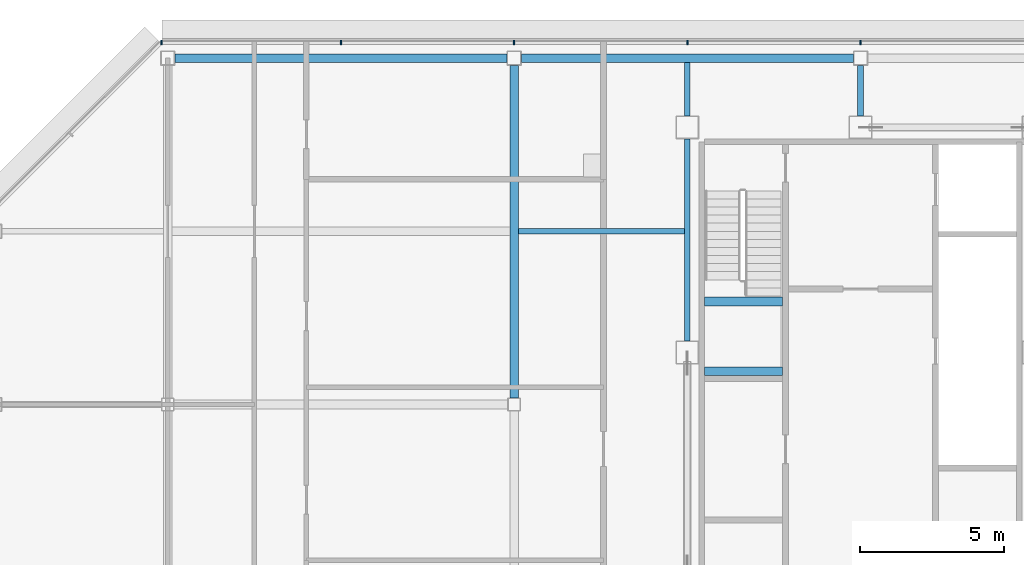
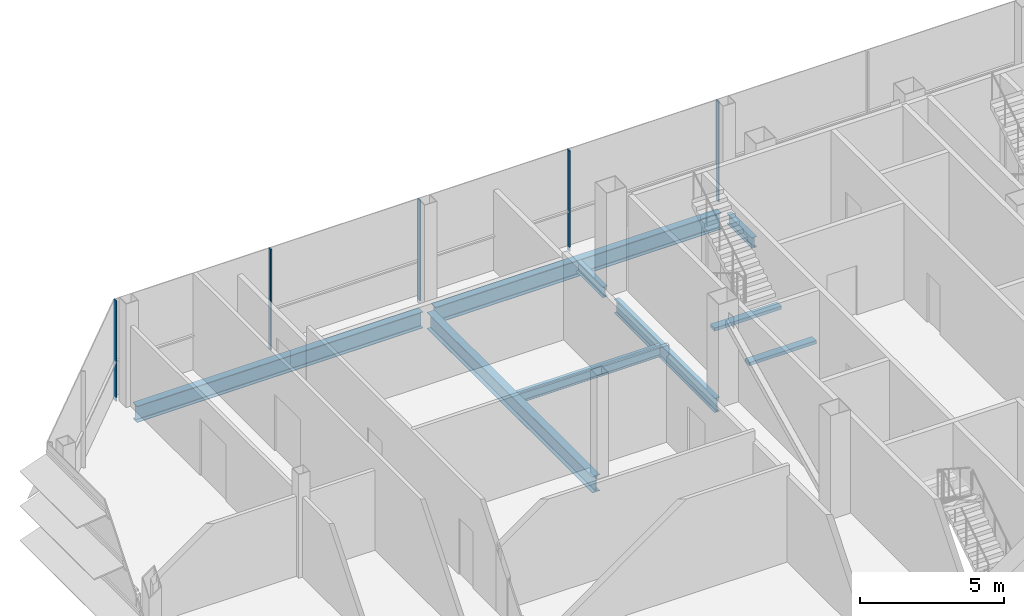
# One storey, part 14 of 29: 9 beams, 5 members, 1 element without a shape of its own.
"""IFC4 building model written with IfcOpenShell, lengths in metres."""

import ifcopenshell
import ifcopenshell.guid

model = None  # the IFC model being written
_history = None  # IfcOwnerHistory: only IFC2X3 demands one
_inside = {}  # id of a spatial element -> (the spatial element, [elements in it])
_under = {}  # id of a project, library or spatial element -> (it, [spatial elements below it])
_declared = {}  # id of a project -> (the project, [libraries it declares])
_typed = {}  # id of a type object -> (the type object, [elements of that type])
_made_of = {}  # id of a material, layer set ... -> (it, [elements and type objects made of it])


def new_model(schema):
    """Start an empty IFC model of exactly this schema.

    Asked for "IFC4X3", IfcOpenShell would pick the latest addendum, in which some entities
    have other attributes; the version numbers below select the first issue.
    IFC2X3 requires an IfcOwnerHistory on every rooted entity: one is made here for all.
    """
    global model, _history
    if schema == "IFC4X3":
        model = ifcopenshell.file(schema_version=(4, 3, 0, 0))
    else:
        model = ifcopenshell.file(schema=schema)
    _inside.clear()
    _under.clear()
    _declared.clear()
    _typed.clear()
    _made_of.clear()
    _history = None
    if model.schema == "IFC2X3":
        org = make("IfcOrganization", Name="unknown")
        user = make(
            "IfcPersonAndOrganization",
            ThePerson=make("IfcPerson", FamilyName="unknown"),
            TheOrganization=org,
        )
        app = make(
            "IfcApplication",
            ApplicationDeveloper=org,
            Version="unknown",
            ApplicationFullName="unknown",
            ApplicationIdentifier="unknown",
        )
        _history = make(
            "IfcOwnerHistory",
            OwningUser=user,
            OwningApplication=app,
            ChangeAction="ADDED",
            CreationDate=0,
        )
    return model


def make(cls, **values):
    """One entity of the class cls with the attributes given. An attribute that is None is left unset."""
    return model.create_entity(
        cls, **{name: value for name, value in values.items() if value is not None}
    )


def rooted(cls, **values):
    """An entity with a GlobalId (a new one), such as an element, a storey or a relation."""
    return make(cls, GlobalId=ifcopenshell.guid.new(), OwnerHistory=_history, **values)


def si_unit(unit_type, name, prefix=None):
    """IfcSIUnit, for example si_unit("LENGTHUNIT", "METRE", prefix="MILLI")."""
    return make("IfcSIUnit", UnitType=unit_type, Prefix=prefix, Name=name)


def assignment(units):
    """IfcUnitAssignment: the units of a project."""
    return None if units is None else make("IfcUnitAssignment", Units=units)


def point(xyz):
    """IfcCartesianPoint."""
    return None if xyz is None else make("IfcCartesianPoint", Coordinates=xyz)


def direction(xyz):
    """IfcDirection."""
    return None if xyz is None else make("IfcDirection", DirectionRatios=xyz)


def frame(location, z_axis=None, x_axis=None):
    """IfcAxis2Placement3D, a coordinate frame: its origin and axes. An axis left out is left unset."""
    return make(
        "IfcAxis2Placement3D",
        Location=point(location),
        Axis=direction(z_axis),
        RefDirection=direction(x_axis),
    )


def frame_2d(location, x_axis=None):
    """IfcAxis2Placement2D, a coordinate frame in the plane: its origin and x axis."""
    return make(
        "IfcAxis2Placement2D", Location=point(location), RefDirection=direction(x_axis)
    )


def origin():
    """The frame at (0, 0, 0) with its axes left unset."""
    return frame((0.0, 0.0, 0.0))


def origin_2d():
    """The frame at (0, 0) in the plane with its x axis left unset."""
    return frame_2d((0.0, 0.0))


def place(relative_to, where):
    """IfcLocalPlacement: puts the frame where relative to a parent placement (None: the world)."""
    return make(
        "IfcLocalPlacement", PlacementRelTo=relative_to, RelativePlacement=where
    )


def context(
    kind, dimensions, precision=None, world=None, true_north=None, identifier=None
):
    """IfcGeometricRepresentationContext, for example the 3D "Model" context."""
    return make(
        "IfcGeometricRepresentationContext",
        ContextIdentifier=identifier,
        ContextType=kind,
        CoordinateSpaceDimension=dimensions,
        Precision=precision,
        WorldCoordinateSystem=world,
        TrueNorth=true_north,
    )


def subcontext(parent, identifier, kind, view, scale=None):
    """IfcGeometricRepresentationSubContext, for example "Body" below "Model"."""
    return make(
        "IfcGeometricRepresentationSubContext",
        ContextIdentifier=identifier,
        ContextType=kind,
        ParentContext=parent,
        TargetScale=scale,
        TargetView=view,
    )


def project(units=None, contexts=None):
    """IfcProject with its units and contexts."""
    return rooted(
        "IfcProject",
        Name="project",
        RepresentationContexts=contexts,
        UnitsInContext=assignment(units),
    )


def spatial(cls, under=None, at=None, **own):
    """A site, building, storey or space (cls), placed at a placement, below another one or the project."""
    s = rooted(cls, ObjectPlacement=at, **own)
    if under is not None:
        _under.setdefault(under.id(), (under, []))[1].append(s)
    return s


def profile(cls, at=None, kind="AREA", **sizes):
    """A parametric profile (cls). Its sizes go by their IFC names, for example OverallWidth=200.0."""
    return make(cls, ProfileType=kind, Position=at, **sizes)


def rectangle(**sizes):
    """IfcRectangleProfileDef."""
    return profile("IfcRectangleProfileDef", **sizes)


def i_section(**sizes):
    """IfcIShapeProfileDef."""
    return profile("IfcIShapeProfileDef", **sizes)


def extrude(swept, where, along, depth):
    """IfcExtrudedAreaSolid: the profile swept, set in the frame where, extruded along a direction by depth."""
    return make(
        "IfcExtrudedAreaSolid",
        SweptArea=swept,
        Position=where,
        ExtrudedDirection=direction(along),
        Depth=depth,
    )


def shape(context_of_items, identifier, shape_type, items):
    """IfcShapeRepresentation: the items that make up one representation, for example the "Body"."""
    return make(
        "IfcShapeRepresentation",
        ContextOfItems=context_of_items,
        RepresentationIdentifier=identifier,
        RepresentationType=shape_type,
        Items=items,
    )


def material(Name=None, Category=None):
    """IfcMaterial."""
    return make("IfcMaterial", Name=Name, Category=Category)


def material_profile(
    of_material, cross_section, Name=None, Category=None, Priority=None
):
    """IfcMaterialProfile: a cross section and its material."""
    return make(
        "IfcMaterialProfile",
        Name=Name,
        Material=of_material,
        Profile=cross_section,
        Priority=Priority,
        Category=Category,
    )


def profile_set(profiles, Name=None, composite=None):
    """IfcMaterialProfileSet."""
    return make(
        "IfcMaterialProfileSet",
        Name=Name,
        MaterialProfiles=profiles,
        CompositeProfile=composite,
    )


def made_of(thing, what):
    """Note that an element or type object is made of a material, layer set ...; save() writes the relation."""
    if what is not None:
        _made_of.setdefault(what.id(), (what, []))[1].append(thing)
    return thing


def type_object(cls, material=None, **own):
    """A type object (cls), such as IfcWallType, which elements share."""
    return made_of(rooted(cls, **own), material)


def element(
    cls,
    number,
    at=None,
    inside=None,
    cuts=None,
    type_object=None,
    material=None,
    context=None,
    identifier="Body",
    shape_type=None,
    held_by="IfcProductDefinitionShape",
    body=None,
    shapes=None,
    **own,
):
    """One element of the class cls, such as IfcWall. Its Tag is "e" and its number.

    at: its placement. inside: the storey or other place that contains it. cuts: it is an
    opening in that element (IfcRelVoidsElement). A single representation is given by context,
    identifier, shape_type and body (its items); several are given by shapes. held_by: the class
    of the entity that holds the representations. save() writes the other relations.
    """
    e = rooted(cls, Tag="e%d" % number, ObjectPlacement=at, **own)
    if body is not None:
        shapes = [shape(context, identifier, shape_type, body)]
    if shapes is not None:
        e.Representation = make(held_by, Representations=shapes)
    if inside is not None:
        _inside.setdefault(inside.id(), (inside, []))[1].append(e)
    if cuts is not None:
        rooted(
            "IfcRelVoidsElement", RelatingBuildingElement=cuts, RelatedOpeningElement=e
        )
    if type_object is not None:
        _typed.setdefault(type_object.id(), (type_object, []))[1].append(e)
    return made_of(e, material)


def aggregate(whole, parts):
    """IfcRelAggregates: a whole, such as a stair, and the parts it consists of."""
    return rooted("IfcRelAggregates", RelatingObject=whole, RelatedObjects=parts)


def save(model, path):
    """Write the relations noted so far, then the file.

    IfcRelAggregates (storeys below a building ...), IfcRelContainedInSpatialStructure (elements
    in a storey), IfcRelDefinesByType, IfcRelAssociatesMaterial and IfcRelDeclares: one each for
    every whole, place, type object, material and project.
    """
    for whole, parts in _under.values():
        aggregate(whole, parts)
    for where, things in _inside.values():
        rooted(
            "IfcRelContainedInSpatialStructure",
            RelatedElements=things,
            RelatingStructure=where,
        )
    for kind, things in _typed.values():
        rooted("IfcRelDefinesByType", RelatedObjects=things, RelatingType=kind)
    for what, things in _made_of.values():
        rooted("IfcRelAssociatesMaterial", RelatedObjects=things, RelatingMaterial=what)
    for by, libraries in _declared.values():
        rooted("IfcRelDeclares", RelatingContext=by, RelatedDefinitions=libraries)
    model.write(path)


model = new_model("IFC4")

# Units and contexts
model_context = context("Model", 3, precision=1e-05, world=origin(), true_north=direction((0.0, 1.0)))
body_context = subcontext(model_context, "Body", "Model", "MODEL_VIEW")
ifc_project = project(units=[si_unit("LENGTHUNIT", "METRE"), si_unit("AREAUNIT", "SQUARE_METRE"), si_unit("VOLUMEUNIT", "CUBIC_METRE"), si_unit("PLANEANGLEUNIT", "RADIAN"), si_unit("MASSUNIT", "GRAM", prefix="KILO")], contexts=[model_context])

# Site, building, storey
site_placement = place(None, origin())
site = spatial("IfcSite", under=ifc_project, at=site_placement, CompositionType="ELEMENT")
building_placement = place(site_placement, origin())
building = spatial("IfcBuilding", under=site, at=building_placement, Name="Sorahane Residences", CompositionType="ELEMENT")
storey_placement = place(building_placement, frame((0.0, 0.0, 326.800048828125)))
storey = spatial("IfcBuildingStorey", under=building, at=storey_placement, Name="L78", CompositionType="ELEMENT", Elevation=326.800048828125)

# Curtain wall, members
ifc_material_1 = material(Name="Dark low-e glass and black anodised aluminium", Category="aluminium")
curtain_wall_type = type_object("IfcCurtainWallType", Name="Curtain wall CW-1 Typical unitised wall", PredefinedType="NOTDEFINED", material=ifc_material_1)
curtain_wall_placement = place(storey_placement, origin())
curtain_wall = element("IfcCurtainWall", 1, at=curtain_wall_placement, inside=storey, type_object=curtain_wall_type, Name="CW-1 curtain wall L78 N1", PredefinedType="NOTDEFINED")
ifc_material_2 = material(Name="Black anodised aluminium", Category="aluminium")
ifc_material_profile_1 = material_profile(ifc_material_2, rectangle(XDim=0.159912109375, YDim=0.050048828125, at=origin_2d()), Name="Curtain wall mullion CW-1 black anodised aluminium 50x160")
ifc_profile_set_1 = profile_set([ifc_material_profile_1], Name="Black anodised aluminium")
member_type = type_object("IfcMemberType", Name="Curtain wall mullion CW-1 black anodised aluminium 50x160", PredefinedType="MULLION", material=ifc_profile_set_1)
member_1_placement = place(storey_placement, frame((12.0, 48.5400390625, -0.179931640625), z_axis=(0.0, 0.0, 1.0), x_axis=(0.0, 1.0, 0.0)))
member_1 = element("IfcMember", 2, at=member_1_placement, type_object=member_type, Name="CW-1 mullion L78 N1.6", PredefinedType="MULLION", context=body_context, shape_type="SweptSolid", body=[
    extrude(rectangle(XDim=0.159912109375, YDim=0.050048828125, at=origin_2d()), origin(), (0.0, 0.0, 1.0), 4.27978515625),
])
member_2_placement = place(storey_placement, frame((6.0, 48.5400390625, -0.179931640625), z_axis=(0.0, 0.0, 1.0), x_axis=(0.0, 1.0, 0.0)))
member_2 = element("IfcMember", 3, at=member_2_placement, type_object=member_type, Name="CW-1 mullion L78 N1.7", PredefinedType="MULLION", context=body_context, shape_type="SweptSolid", body=[
    extrude(rectangle(XDim=0.159912109375, YDim=0.050048828125, at=origin_2d()), origin(), (0.0, 0.0, 1.0), 4.27978515625),
])
member_3_placement = place(storey_placement, frame((0.0, 48.5400390625, -0.179931640625), z_axis=(0.0, 0.0, 1.0), x_axis=(0.0, 1.0, 0.0)))
member_3 = element("IfcMember", 4, at=member_3_placement, type_object=member_type, Name="CW-1 mullion L78 N1.8", PredefinedType="MULLION", context=body_context, shape_type="SweptSolid", body=[
    extrude(rectangle(XDim=0.159912109375, YDim=0.050048828125, at=origin_2d()), origin(), (0.0, 0.0, 1.0), 4.27978515625),
])
member_4_placement = place(storey_placement, frame((-6.0, 48.5400390625, -0.179931640625), z_axis=(0.0, 0.0, 1.0), x_axis=(0.0, 1.0, 0.0)))
member_4 = element("IfcMember", 5, at=member_4_placement, type_object=member_type, Name="CW-1 mullion L78 N1.9", PredefinedType="MULLION", context=body_context, shape_type="SweptSolid", body=[
    extrude(rectangle(XDim=0.159912109375, YDim=0.050048828125, at=origin_2d()), origin(), (0.0, 0.0, 1.0), 4.27978515625),
])
member_5_placement = place(storey_placement, frame((-12.2236328125, 48.5400390625, -0.179931640625), z_axis=(0.0, 0.0, 1.0), x_axis=(0.0, 1.0, 0.0)))
member_5 = element("IfcMember", 6, at=member_5_placement, type_object=member_type, Name="CW-1 mullion L78 N1.10", PredefinedType="MULLION", context=body_context, shape_type="SweptSolid", body=[
    extrude(rectangle(XDim=0.159912109375, YDim=0.050048828125, at=origin_2d()), origin(), (0.0, 0.0, 1.0), 4.27978515625),
])
aggregate(curtain_wall, [member_1, member_2, member_3, member_4, member_5])

# Beams
ifc_material_3 = material(Name="Concrete C40", Category="concrete")
ifc_material_profile_2 = material_profile(ifc_material_3, rectangle(XDim=0.300048828125, YDim=0.139892578125, at=origin_2d()), Name="300x140")
ifc_profile_set_2 = profile_set([ifc_material_profile_2], Name="Concrete C40")
beam_type_1 = type_object("IfcBeamType", Name="RC landing beam 300 x 140 Concrete C40", PredefinedType="BEAM", material=ifc_profile_set_2)
for number, where, z_axis, x_axis, name in (
    (7, (6.60009765625, 37.14990234375, 1.7607421875), (1.0, 0.0, 0.0), (0.0, 1.0, 0.0), "Landing beam"),
    (8, (6.60009765625, 39.570068359375, 1.7607421875), (1.0, 0.0, 0.0), (0.0, 1.0, 0.0), "Landing beam"),
):
    element("IfcBeam", number, at=place(storey_placement, frame(where, z_axis=z_axis, x_axis=x_axis)), inside=storey, type_object=beam_type_1, Name=name, PredefinedType="BEAM", context=body_context, shape_type="SweptSolid", body=[
        extrude(rectangle(XDim=0.300048828125, YDim=0.139892578125, at=origin_2d()), origin(), (0.0, 0.0, 1.0), 2.699951171875),
    ])
ifc_material_4 = material(Name="Steel Q355B", Category="steel")
ifc_material_profile_3 = material_profile(ifc_material_4, i_section(OverallWidth=0.199951171875, OverallDepth=0.449951171875, WebThickness=0.009033203125, FlangeThickness=0.013916015625, FilletRadius=0.02001953125, at=origin_2d()), Name="HN 450x200x9x14")
ifc_profile_set_3 = profile_set([ifc_material_profile_3], Name="Steel Q355B")
beam_type_2 = type_object("IfcBeamType", Name="Steel floor beam HN 450x200x9x14 Q355B", PredefinedType="BEAM", material=ifc_profile_set_3)
beam_1_placement = place(storey_placement, frame((6.0, 46.0, -0.405029296875), z_axis=(0.0, 1.0, 0.0), x_axis=(-1.0, 0.0, 0.0)))
element("IfcBeam", 9, at=beam_1_placement, inside=storey, type_object=beam_type_2, Name="Beam L78 037", PredefinedType="BEAM", context=body_context, shape_type="SweptSolid", body=[
    extrude(i_section(OverallWidth=0.199951171875, OverallDepth=0.449951171875, WebThickness=0.009033203125, FlangeThickness=0.013916015625, FilletRadius=0.02001953125, at=origin_2d()), origin(), (0.0, 0.0, 1.0), 1.85009765625),
])
beam_2_placement = place(storey_placement, frame((12.0, 46.0, -0.405029296875), z_axis=(0.0, 1.0, 0.0), x_axis=(-1.0, 0.0, 0.0)))
element("IfcBeam", 10, at=beam_2_placement, inside=storey, type_object=beam_type_2, Name="Beam L78 039", PredefinedType="BEAM", context=body_context, shape_type="SweptSolid", body=[
    extrude(i_section(OverallWidth=0.199951171875, OverallDepth=0.449951171875, WebThickness=0.009033203125, FlangeThickness=0.013916015625, FilletRadius=0.02001953125, at=origin_2d()), origin(), (0.0, 0.0, 1.0), 1.75),
])
beam_3_placement = place(storey_placement, frame((0.14990234375, 42.0, -0.405029296875), z_axis=(1.0, 0.0, 0.0), x_axis=(0.0, 1.0, 0.0)))
element("IfcBeam", 11, at=beam_3_placement, inside=storey, type_object=beam_type_2, Name="Beam L78 089", PredefinedType="BEAM", context=body_context, shape_type="SweptSolid", body=[
    extrude(i_section(OverallWidth=0.199951171875, OverallDepth=0.449951171875, WebThickness=0.009033203125, FlangeThickness=0.013916015625, FilletRadius=0.02001953125, at=origin_2d()), origin(), (0.0, 0.0, 1.0), 5.75),
])
ifc_material_5 = material(Name="Steel Q355B", Category="steel")
ifc_material_profile_4 = material_profile(ifc_material_5, i_section(OverallWidth=0.199951171875, OverallDepth=0.60009765625, WebThickness=0.010986328125, FlangeThickness=0.01708984375, FilletRadius=0.02392578125, at=origin_2d()), Name="HN 600x200x11x17")
ifc_profile_set_4 = profile_set([ifc_material_profile_4], Name="Steel Q355B")
beam_type_3 = type_object("IfcBeamType", Name="Steel floor beam HN 600x200x11x17 Q355B", PredefinedType="BEAM", material=ifc_profile_set_4)
beam_4_placement = place(storey_placement, frame((6.0, 38.199951171875, -0.47998046875), z_axis=(0.0, 1.0, 0.0), x_axis=(-1.0, 0.0, 0.0)))
element("IfcBeam", 12, at=beam_4_placement, inside=storey, type_object=beam_type_3, Name="Beam L78 036", PredefinedType="BEAM", context=body_context, shape_type="SweptSolid", body=[
    extrude(i_section(OverallWidth=0.199951171875, OverallDepth=0.60009765625, WebThickness=0.010986328125, FlangeThickness=0.01708984375, FilletRadius=0.02392578125, at=origin_2d()), origin(), (0.0, 0.0, 1.0), 7.0),
])
ifc_material_6 = material(Name="Steel Q355B", Category="steel")
ifc_material_profile_5 = material_profile(ifc_material_6, i_section(OverallWidth=0.300048828125, OverallDepth=0.699951171875, WebThickness=0.012939453125, FlangeThickness=0.02392578125, FilletRadius=0.028076171875, at=origin_2d()), Name="HN 700x300x13x24")
ifc_profile_set_5 = profile_set([ifc_material_profile_5], Name="Steel Q355B")
beam_type_4 = type_object("IfcBeamType", Name="Steel floor beam HN 700x300x13x24 Q355B", PredefinedType="BEAM", material=ifc_profile_set_5)
for number, where, z_axis, x_axis, name in (
    (13, (-11.75, 48.0, -0.530029296875), (1.0, 0.0, 0.0), (0.0, 1.0, 0.0), "Beam L78 015"),
    (14, (0.25, 48.0, -0.530029296875), (1.0, 0.0, 0.0), (0.0, 1.0, 0.0), "Beam L78 016"),
):
    element("IfcBeam", number, at=place(storey_placement, frame(where, z_axis=z_axis, x_axis=x_axis)), inside=storey, type_object=beam_type_4, Name=name, PredefinedType="BEAM", context=body_context, shape_type="SweptSolid", body=[
        extrude(i_section(OverallWidth=0.300048828125, OverallDepth=0.699951171875, WebThickness=0.012939453125, FlangeThickness=0.02392578125, FilletRadius=0.028076171875, at=origin_2d()), origin(), (0.0, 0.0, 1.0), 11.5),
    ])
beam_5_placement = place(storey_placement, frame((0.0, 36.22509765625, -0.530029296875), z_axis=(0.0, 1.0, 0.0), x_axis=(-1.0, 0.0, 0.0)))
element("IfcBeam", 15, at=beam_5_placement, inside=storey, type_object=beam_type_4, Name="Beam L78 031", PredefinedType="BEAM", context=body_context, shape_type="SweptSolid", body=[
    extrude(i_section(OverallWidth=0.300048828125, OverallDepth=0.699951171875, WebThickness=0.012939453125, FlangeThickness=0.02392578125, FilletRadius=0.028076171875, at=origin_2d()), origin(), (0.0, 0.0, 1.0), 11.52490234375),
])

save(model, "model.ifc")
